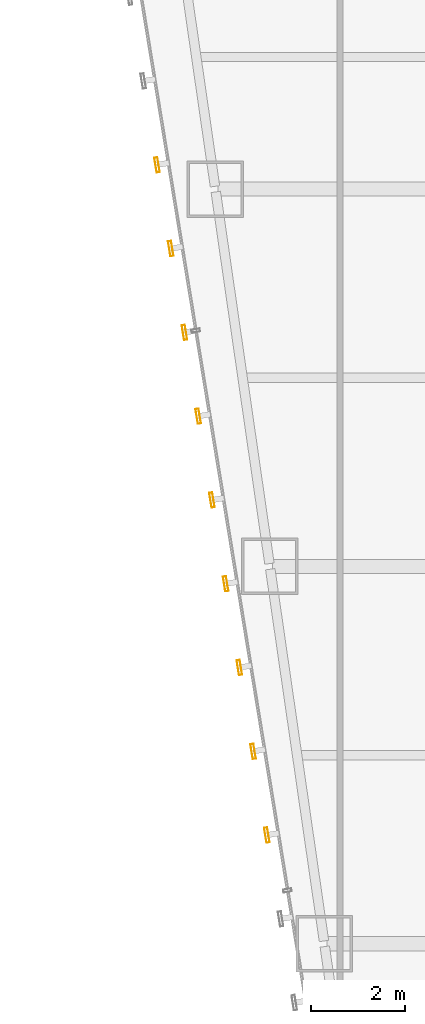
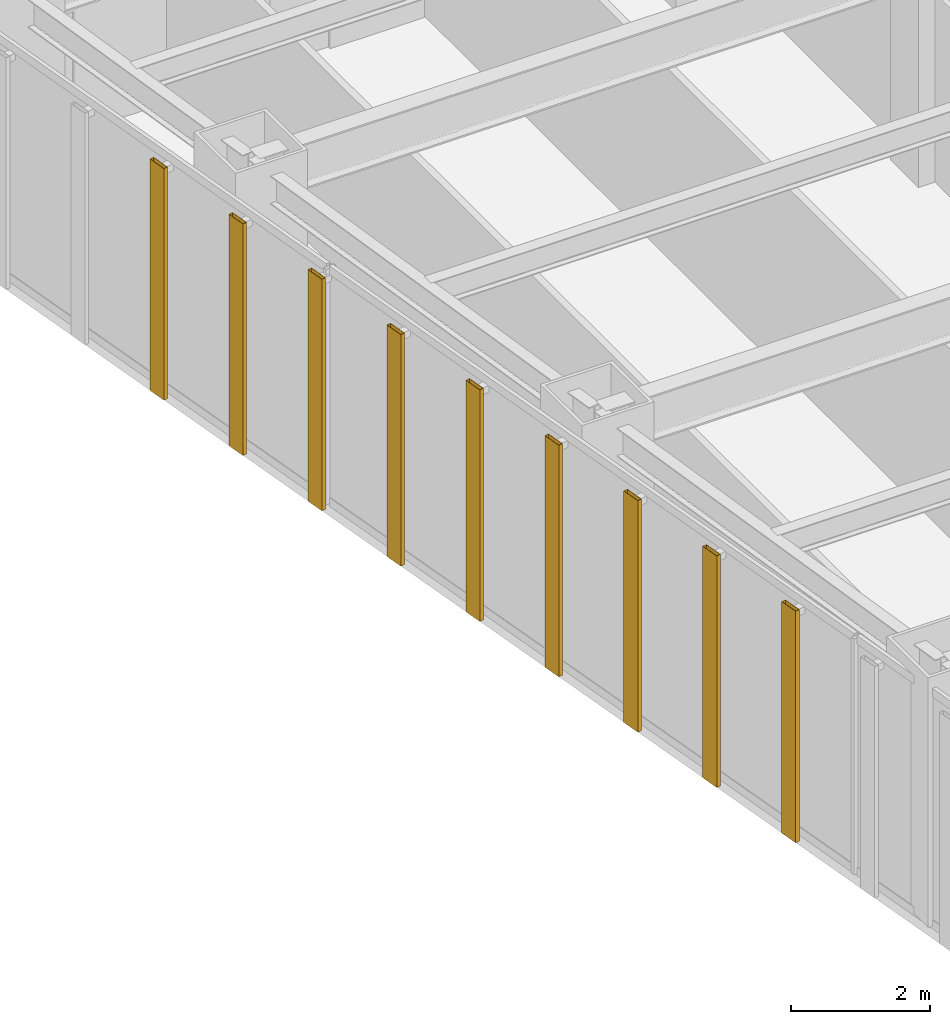
# One storey, part 43 of 47: 9 shading devices.
"""IFC4 building model written with IfcOpenShell, lengths in metres."""

from ifc_helpers import new_model, si_unit, direction, frame, origin, origin_2d, place, context, subcontext, project, spatial, hollow_rectangle, extrude, material, material_profile, profile_set, type_object, element, save


model = new_model("IFC4")

# Units and contexts
model_context = context("Model", 3, precision=1e-05, world=origin(), true_north=direction((0.0, 1.0)))
body_context = subcontext(model_context, "Body", "Model", "MODEL_VIEW")
ifc_project = project(units=[si_unit("LENGTHUNIT", "METRE"), si_unit("AREAUNIT", "SQUARE_METRE"), si_unit("VOLUMEUNIT", "CUBIC_METRE"), si_unit("PLANEANGLEUNIT", "RADIAN"), si_unit("MASSUNIT", "GRAM", prefix="KILO")], contexts=[model_context])

# Site, building, storey
site_placement = place(None, origin())
site = spatial("IfcSite", under=ifc_project, at=site_placement, CompositionType="ELEMENT")
building_placement = place(site_placement, origin())
building = spatial("IfcBuilding", under=site, at=building_placement, Name="Saevonmaru Cultural Tower", CompositionType="ELEMENT")
storey_placement = place(building_placement, frame((0.0, 0.0, 78.0)))
storey = spatial("IfcBuildingStorey", under=building, at=storey_placement, Name="L16", CompositionType="ELEMENT", Elevation=78.0)

# Shading devices
ifc_material = material(Name="Satin Bronze Anodised Aluminium", Category="aluminium")
ifc_material_profile = material_profile(ifc_material, hollow_rectangle(XDim=0.070068359375, YDim=0.320068359375, WallThickness=0.0048828125, at=origin_2d()), Name="FIN-320x70")
ifc_profile_set = profile_set([ifc_material_profile], Name="Satin Bronze Anodised Aluminium")
shading_device_type = type_object("IfcShadingDeviceType", Name="SHD-FIN-320", PredefinedType="JALOUSIE", material=ifc_profile_set)
for number, where, z_axis, x_axis, name in (
    (1, (7.0810546875, 32.513916015625, 0.050048828125), (0.0, 0.0, 1.0), (-0.986827496189, -0.161776057456, 0.0), "L16 Art Deco Sawtooth Bronze Fin E12-12"),
    (2, (7.3720703125, 30.737548828125, 0.050048828125), (0.0, 0.0, 1.0), (-0.986827496189, -0.161776057456, 0.0), "L16 Art Deco Sawtooth Bronze Fin E12-13"),
    (3, (7.6630859375, 28.961181640625, 0.050048828125), (0.0, 0.0, 1.0), (-0.986827496189, -0.161776057456, 0.0), "L16 Art Deco Sawtooth Bronze Fin E12-14"),
    (4, (7.9541015625, 27.184814453125, 0.050048828125), (0.0, 0.0, 1.0), (-0.986827496189, -0.161776057456, 0.0), "L16 Art Deco Sawtooth Bronze Fin E12-15"),
    (5, (8.245361328125, 25.40869140625, 0.050048828125), (0.0, 0.0, 1.0), (-0.986827496189, -0.161776057456, 0.0), "L16 Art Deco Sawtooth Bronze Fin E12-16"),
    (6, (8.536376953125, 23.63232421875, 0.050048828125), (0.0, 0.0, 1.0), (-0.986827496189, -0.161776057456, 0.0), "L16 Art Deco Sawtooth Bronze Fin E12-17"),
    (7, (8.827392578125, 21.85595703125, 0.050048828125), (0.0, 0.0, 1.0), (-0.986827496189, -0.161776057456, 0.0), "L16 Art Deco Sawtooth Bronze Fin E12-18"),
    (8, (9.118408203125, 20.07958984375, 0.050048828125), (0.0, 0.0, 1.0), (-0.986827496189, -0.161776057456, 0.0), "L16 Art Deco Sawtooth Bronze Fin E12-19"),
    (9, (9.40966796875, 18.30322265625, 0.050048828125), (0.0, 0.0, 1.0), (-0.986827496189, -0.161776057456, 0.0), "L16 Art Deco Sawtooth Bronze Fin E12-20"),
):
    element("IfcShadingDevice", number, at=place(storey_placement, frame(where, z_axis=z_axis, x_axis=x_axis)), inside=storey, type_object=shading_device_type, Name=name, PredefinedType="JALOUSIE", context=body_context, shape_type="SweptSolid", body=[
        extrude(hollow_rectangle(XDim=0.070068359375, YDim=0.320068359375, WallThickness=0.0048828125, at=origin_2d()), origin(), (0.0, 0.0, 1.0), 4.079833984375),
    ])

save(model, "model.ifc")
